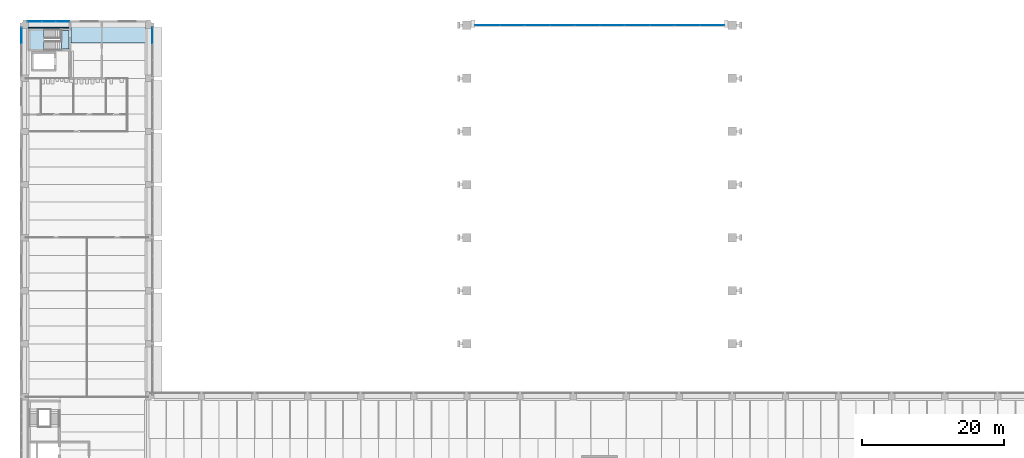
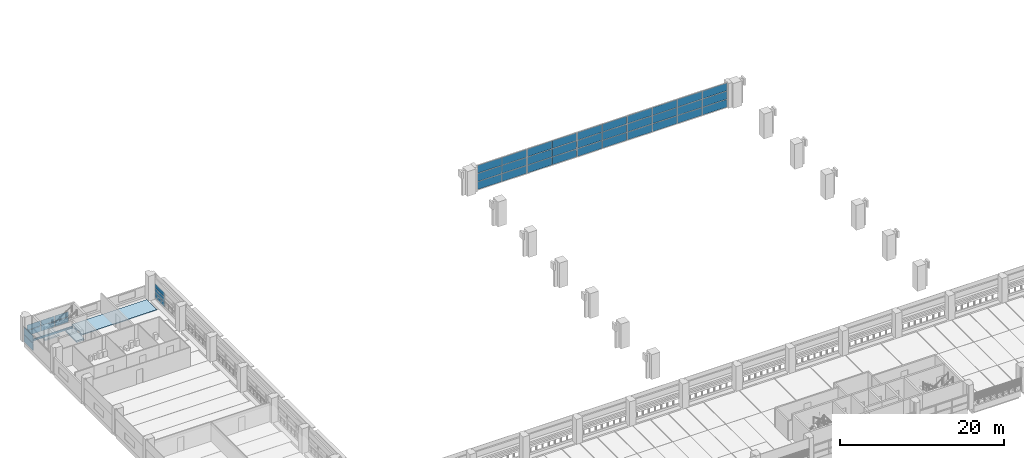
# One storey, part 25 of 57: 41 plates, 4 slabs, 9 elements without a shape of their own.
"""IFC4 building model written with IfcOpenShell, lengths in metres."""

from ifc_helpers import new_model, si_unit, direction, frame, origin, origin_2d, place, context, subcontext, project, spatial, polyline, rectangle, outline, extrude, material, layer, layer_set, material_profile, profile_set, type_object, element, aggregate, save


model = new_model("IFC4")

# Units and contexts
model_context = context("Model", 3, precision=1e-05, world=origin(), true_north=direction((0.0, 1.0)))
body_context = subcontext(model_context, "Body", "Model", "MODEL_VIEW")
ifc_project = project(units=[si_unit("LENGTHUNIT", "METRE"), si_unit("AREAUNIT", "SQUARE_METRE"), si_unit("VOLUMEUNIT", "CUBIC_METRE"), si_unit("PLANEANGLEUNIT", "RADIAN"), si_unit("MASSUNIT", "GRAM", prefix="KILO")], contexts=[model_context])

# Site, building, storey
site_placement = place(None, origin())
site = spatial("IfcSite", under=ifc_project, at=site_placement, CompositionType="ELEMENT")
building_placement = place(site_placement, origin())
building = spatial("IfcBuilding", under=site, at=building_placement, Name="Cour d'Honneur Mobility Palace", CompositionType="ELEMENT")
storey_placement = place(building_placement, frame((0.0, 0.0, 8.199951171875)))
storey = spatial("IfcBuildingStorey", under=building, at=storey_placement, Name="L02", CompositionType="ELEMENT", Elevation=8.199951171875)

# Slabs
ifc_material_1 = material(Name="Concrete C50", Category="concrete")
ifc_layer_1 = layer(ifc_material_1, 0.25)
ifc_layer_set_1 = layer_set([ifc_layer_1], Name="Concrete C50")
slab_type_1 = type_object("IfcSlabType", Name="Cast-in-place Slab 250", PredefinedType="FLOOR", material=ifc_layer_set_1)
slab_1_placement = place(storey_placement, frame((0.0, 0.0, -0.25)))
element("IfcSlab", 1, at=slab_1_placement, inside=storey, type_object=slab_type_1, Name="Cast-in-place slab S1 L02 core", PredefinedType="FLOOR", context=body_context, shape_type="SweptSolid", body=[
    extrude(outline(polyline([(0.449951171875, 114.625), (6.300048828125, 114.625), (6.300048828125, 114.449951171875), (0.449951171875, 114.449951171875), (0.449951171875, 114.625)])), origin(), (0.0, 0.0, 1.0), 0.25),
])
slab_2_placement = place(storey_placement, frame((0.0, 0.0, -0.25)))
element("IfcSlab", 2, at=slab_2_placement, inside=storey, type_object=slab_type_1, Name="Cast-in-place slab S1 L02 core", PredefinedType="FLOOR", context=body_context, shape_type="SweptSolid", body=[
    extrude(outline(polyline([(6.175048828125, 111.52490234375), (5.10009765625, 111.52490234375), (5.10009765625, 114.199951171875), (6.175048828125, 114.199951171875), (6.175048828125, 111.52490234375)])), origin(), (0.0, 0.0, 1.0), 0.25),
])

# Curtain wall, plates
ifc_material_2 = material(Name="Aluminium and glass", Category="aluminium")
ifc_layer_2 = layer(ifc_material_2, 0.10009765625)
ifc_layer_set_2 = layer_set([ifc_layer_2], Name="Aluminium and glass")
curtain_wall_type = type_object("IfcCurtainWallType", Name="Curtain wall run", PredefinedType="NOTDEFINED", material=ifc_layer_set_2)
curtain_wall_1_placement = place(storey_placement, origin())
curtain_wall_1 = element("IfcCurtainWall", 3, at=curtain_wall_1_placement, inside=storey, type_object=curtain_wall_type, Name="Curtain wall CW-29", PredefinedType="NOTDEFINED")
ifc_material_3 = material(Name="Double glazing", Category="glass")
ifc_layer_3 = layer(ifc_material_3, 0.028076171875)
ifc_layer_set_3 = layer_set([ifc_layer_3], Name="Double glazing")
plate_type = type_object("IfcPlateType", Name="Curtain wall panel", PredefinedType="CURTAIN_PANEL", material=ifc_layer_set_3)
plate_1_placement = place(storey_placement, frame((17.949951171875, 113.43505859375, 0.06005859375), z_axis=(0.0, 0.0, 1.0), x_axis=(0.0, 1.0, 0.0)))
plate_1 = element("IfcPlate", 4, at=plate_1_placement, type_object=plate_type, Name="CW-29 panel 3.1", PredefinedType="CURTAIN_PANEL", context=body_context, shape_type="SweptSolid", body=[
    extrude(rectangle(XDim=2.2099609375, YDim=0.028076171875, at=origin_2d()), origin(), (0.0, 0.0, 1.0), 0.6767578125),
])
plate_2_placement = place(storey_placement, frame((17.949951171875, 113.43505859375, 0.796875), z_axis=(0.0, 0.0, 1.0), x_axis=(0.0, 1.0, 0.0)))
plate_2 = element("IfcPlate", 5, at=plate_2_placement, type_object=plate_type, Name="CW-29 panel 3.2", PredefinedType="CURTAIN_PANEL", context=body_context, shape_type="SweptSolid", body=[
    extrude(rectangle(XDim=2.2099609375, YDim=0.028076171875, at=origin_2d()), origin(), (0.0, 0.0, 1.0), 0.706787109375),
])
plate_3_placement = place(storey_placement, frame((17.949951171875, 113.43505859375, 1.563232421875), z_axis=(0.0, 0.0, 1.0), x_axis=(0.0, 1.0, 0.0)))
plate_3 = element("IfcPlate", 6, at=plate_3_placement, type_object=plate_type, Name="CW-29 panel 3.3", PredefinedType="CURTAIN_PANEL", context=body_context, shape_type="SweptSolid", body=[
    extrude(rectangle(XDim=2.2099609375, YDim=0.028076171875, at=origin_2d()), origin(), (0.0, 0.0, 1.0), 0.6767578125),
])
aggregate(curtain_wall_1, [plate_1, plate_2, plate_3])

curtain_wall_2_placement = place(storey_placement, origin())
curtain_wall_2 = element("IfcCurtainWall", 7, at=curtain_wall_2_placement, inside=storey, type_object=curtain_wall_type, Name="Curtain wall CW-126", PredefinedType="NOTDEFINED")
plate_4_placement = place(storey_placement, frame((5.284912109375, 115.449951171875, 0.06005859375), z_axis=(0.0, 0.0, 1.0), x_axis=(-1.0, 0.0, 0.0)))
plate_4 = element("IfcPlate", 8, at=plate_4_placement, type_object=plate_type, Name="CW-126 panel 1.1", PredefinedType="CURTAIN_PANEL", context=body_context, shape_type="SweptSolid", body=[
    extrude(rectangle(XDim=1.909912109375, YDim=0.028076171875, at=origin_2d()), origin(), (0.0, 0.0, 1.0), 0.760009765625),
])
plate_5_placement = place(storey_placement, frame((5.284912109375, 115.449951171875, 0.8798828125), z_axis=(0.0, 0.0, 1.0), x_axis=(-1.0, 0.0, 0.0)))
plate_5 = element("IfcPlate", 9, at=plate_5_placement, type_object=plate_type, Name="CW-126 panel 1.2", PredefinedType="CURTAIN_PANEL", context=body_context, shape_type="SweptSolid", body=[
    extrude(rectangle(XDim=1.909912109375, YDim=0.028076171875, at=origin_2d()), origin(), (0.0, 0.0, 1.0), 0.760009765625),
])
plate_6_placement = place(storey_placement, frame((3.300048828125, 115.449951171875, 0.06005859375), z_axis=(0.0, 0.0, 1.0), x_axis=(-1.0, 0.0, 0.0)))
plate_6 = element("IfcPlate", 10, at=plate_6_placement, type_object=plate_type, Name="CW-126 panel 2.1", PredefinedType="CURTAIN_PANEL", context=body_context, shape_type="SweptSolid", body=[
    extrude(rectangle(XDim=1.93994140625, YDim=0.028076171875, at=origin_2d()), origin(), (0.0, 0.0, 1.0), 0.760009765625),
])
plate_7_placement = place(storey_placement, frame((3.300048828125, 115.449951171875, 0.8798828125), z_axis=(0.0, 0.0, 1.0), x_axis=(-1.0, 0.0, 0.0)))
plate_7 = element("IfcPlate", 11, at=plate_7_placement, type_object=plate_type, Name="CW-126 panel 2.2", PredefinedType="CURTAIN_PANEL", context=body_context, shape_type="SweptSolid", body=[
    extrude(rectangle(XDim=1.93994140625, YDim=0.028076171875, at=origin_2d()), origin(), (0.0, 0.0, 1.0), 0.760009765625),
])
plate_8_placement = place(storey_placement, frame((1.31494140625, 115.449951171875, 0.06005859375), z_axis=(0.0, 0.0, 1.0), x_axis=(-1.0, 0.0, 0.0)))
plate_8 = element("IfcPlate", 12, at=plate_8_placement, type_object=plate_type, Name="CW-126 panel 3.1", PredefinedType="CURTAIN_PANEL", context=body_context, shape_type="SweptSolid", body=[
    extrude(rectangle(XDim=1.909912109375, YDim=0.028076171875, at=origin_2d()), origin(), (0.0, 0.0, 1.0), 0.760009765625),
])
plate_9_placement = place(storey_placement, frame((1.31494140625, 115.449951171875, 0.8798828125), z_axis=(0.0, 0.0, 1.0), x_axis=(-1.0, 0.0, 0.0)))
plate_9 = element("IfcPlate", 13, at=plate_9_placement, type_object=plate_type, Name="CW-126 panel 3.2", PredefinedType="CURTAIN_PANEL", context=body_context, shape_type="SweptSolid", body=[
    extrude(rectangle(XDim=1.909912109375, YDim=0.028076171875, at=origin_2d()), origin(), (0.0, 0.0, 1.0), 0.760009765625),
])
aggregate(curtain_wall_2, [plate_4, plate_5, plate_6, plate_7, plate_8, plate_9])

curtain_wall_3_placement = place(storey_placement, origin())
curtain_wall_3 = element("IfcCurtainWall", 14, at=curtain_wall_3_placement, inside=storey, type_object=curtain_wall_type, Name="Curtain wall CW-127", PredefinedType="NOTDEFINED")
plate_10_placement = place(storey_placement, frame((-0.550048828125, 113.43505859375, 0.06005859375), z_axis=(0.0, 0.0, 1.0), x_axis=(0.0, -1.0, 0.0)))
plate_10 = element("IfcPlate", 15, at=plate_10_placement, type_object=plate_type, Name="CW-127 panel 1.1", PredefinedType="CURTAIN_PANEL", context=body_context, shape_type="SweptSolid", body=[
    extrude(rectangle(XDim=2.2099609375, YDim=0.028076171875, at=origin_2d()), origin(), (0.0, 0.0, 1.0), 1.06005859375),
])
plate_11_placement = place(storey_placement, frame((-0.550048828125, 113.43505859375, 1.179931640625), z_axis=(0.0, 0.0, 1.0), x_axis=(0.0, -1.0, 0.0)))
plate_11 = element("IfcPlate", 16, at=plate_11_placement, type_object=plate_type, Name="CW-127 panel 1.2", PredefinedType="CURTAIN_PANEL", context=body_context, shape_type="SweptSolid", body=[
    extrude(rectangle(XDim=2.2099609375, YDim=0.028076171875, at=origin_2d()), origin(), (0.0, 0.0, 1.0), 1.06005859375),
])
aggregate(curtain_wall_3, [plate_10, plate_11])

curtain_wall_4_placement = place(storey_placement, origin())
curtain_wall_4 = element("IfcCurtainWall", 17, at=curtain_wall_4_placement, inside=storey, type_object=curtain_wall_type, Name="Curtain wall CW-176", PredefinedType="NOTDEFINED")
plate_12_placement = place(storey_placement, frame((65.280029296875, 114.89990234375, 0.06005859375), z_axis=(0.0, 0.0, 1.0), x_axis=(1.0, 0.0, 0.0)))
plate_12 = element("IfcPlate", 18, at=plate_12_placement, type_object=plate_type, Name="CW-176 panel 1.1", PredefinedType="CURTAIN_PANEL", context=body_context, shape_type="SweptSolid", body=[
    extrude(rectangle(XDim=3.43994140625, YDim=0.028076171875, at=origin_2d()), origin(), (0.0, 0.0, 1.0), 1.143310546875),
])
plate_13_placement = place(storey_placement, frame((65.280029296875, 114.89990234375, 1.263427734375), z_axis=(0.0, 0.0, 1.0), x_axis=(1.0, 0.0, 0.0)))
plate_13 = element("IfcPlate", 19, at=plate_13_placement, type_object=plate_type, Name="CW-176 panel 1.2", PredefinedType="CURTAIN_PANEL", context=body_context, shape_type="SweptSolid", body=[
    extrude(rectangle(XDim=3.43994140625, YDim=0.028076171875, at=origin_2d()), origin(), (0.0, 0.0, 1.0), 1.17333984375),
])
plate_14_placement = place(storey_placement, frame((65.280029296875, 114.89990234375, 2.49658203125), z_axis=(0.0, 0.0, 1.0), x_axis=(1.0, 0.0, 0.0)))
plate_14 = element("IfcPlate", 20, at=plate_14_placement, type_object=plate_type, Name="CW-176 panel 1.3", PredefinedType="CURTAIN_PANEL", context=body_context, shape_type="SweptSolid", body=[
    extrude(rectangle(XDim=3.43994140625, YDim=0.028076171875, at=origin_2d()), origin(), (0.0, 0.0, 1.0), 1.143310546875),
])
plate_15_placement = place(storey_placement, frame((68.780029296875, 114.89990234375, 0.06005859375), z_axis=(0.0, 0.0, 1.0), x_axis=(1.0, 0.0, 0.0)))
plate_15 = element("IfcPlate", 21, at=plate_15_placement, type_object=plate_type, Name="CW-176 panel 2.1", PredefinedType="CURTAIN_PANEL", context=body_context, shape_type="SweptSolid", body=[
    extrude(rectangle(XDim=3.43994140625, YDim=0.028076171875, at=origin_2d()), origin(), (0.0, 0.0, 1.0), 1.143310546875),
])
plate_16_placement = place(storey_placement, frame((68.780029296875, 114.89990234375, 1.263427734375), z_axis=(0.0, 0.0, 1.0), x_axis=(1.0, 0.0, 0.0)))
plate_16 = element("IfcPlate", 22, at=plate_16_placement, type_object=plate_type, Name="CW-176 panel 2.2", PredefinedType="CURTAIN_PANEL", context=body_context, shape_type="SweptSolid", body=[
    extrude(rectangle(XDim=3.43994140625, YDim=0.028076171875, at=origin_2d()), origin(), (0.0, 0.0, 1.0), 1.17333984375),
])
plate_17_placement = place(storey_placement, frame((68.780029296875, 114.89990234375, 2.49658203125), z_axis=(0.0, 0.0, 1.0), x_axis=(1.0, 0.0, 0.0)))
plate_17 = element("IfcPlate", 23, at=plate_17_placement, type_object=plate_type, Name="CW-176 panel 2.3", PredefinedType="CURTAIN_PANEL", context=body_context, shape_type="SweptSolid", body=[
    extrude(rectangle(XDim=3.43994140625, YDim=0.028076171875, at=origin_2d()), origin(), (0.0, 0.0, 1.0), 1.143310546875),
])
aggregate(curtain_wall_4, [plate_12, plate_13, plate_14, plate_15, plate_16, plate_17])

curtain_wall_5_placement = place(storey_placement, origin())
curtain_wall_5 = element("IfcCurtainWall", 24, at=curtain_wall_5_placement, inside=storey, type_object=curtain_wall_type, Name="Curtain wall CW-177", PredefinedType="NOTDEFINED")
plate_18_placement = place(storey_placement, frame((72.340087890625, 114.89990234375, 0.06005859375), z_axis=(0.0, 0.0, 1.0), x_axis=(1.0, 0.0, 0.0)))
plate_18 = element("IfcPlate", 25, at=plate_18_placement, type_object=plate_type, Name="CW-177 panel 1.1", PredefinedType="CURTAIN_PANEL", context=body_context, shape_type="SweptSolid", body=[
    extrude(rectangle(XDim=3.43994140625, YDim=0.028076171875, at=origin_2d()), origin(), (0.0, 0.0, 1.0), 1.143310546875),
])
plate_19_placement = place(storey_placement, frame((72.340087890625, 114.89990234375, 1.263427734375), z_axis=(0.0, 0.0, 1.0), x_axis=(1.0, 0.0, 0.0)))
plate_19 = element("IfcPlate", 26, at=plate_19_placement, type_object=plate_type, Name="CW-177 panel 1.2", PredefinedType="CURTAIN_PANEL", context=body_context, shape_type="SweptSolid", body=[
    extrude(rectangle(XDim=3.43994140625, YDim=0.028076171875, at=origin_2d()), origin(), (0.0, 0.0, 1.0), 1.17333984375),
])
plate_20_placement = place(storey_placement, frame((72.340087890625, 114.89990234375, 2.49658203125), z_axis=(0.0, 0.0, 1.0), x_axis=(1.0, 0.0, 0.0)))
plate_20 = element("IfcPlate", 27, at=plate_20_placement, type_object=plate_type, Name="CW-177 panel 1.3", PredefinedType="CURTAIN_PANEL", context=body_context, shape_type="SweptSolid", body=[
    extrude(rectangle(XDim=3.43994140625, YDim=0.028076171875, at=origin_2d()), origin(), (0.0, 0.0, 1.0), 1.143310546875),
])
plate_21_placement = place(storey_placement, frame((75.840087890625, 114.89990234375, 0.06005859375), z_axis=(0.0, 0.0, 1.0), x_axis=(1.0, 0.0, 0.0)))
plate_21 = element("IfcPlate", 28, at=plate_21_placement, type_object=plate_type, Name="CW-177 panel 2.1", PredefinedType="CURTAIN_PANEL", context=body_context, shape_type="SweptSolid", body=[
    extrude(rectangle(XDim=3.43994140625, YDim=0.028076171875, at=origin_2d()), origin(), (0.0, 0.0, 1.0), 1.143310546875),
])
plate_22_placement = place(storey_placement, frame((75.840087890625, 114.89990234375, 1.263427734375), z_axis=(0.0, 0.0, 1.0), x_axis=(1.0, 0.0, 0.0)))
plate_22 = element("IfcPlate", 29, at=plate_22_placement, type_object=plate_type, Name="CW-177 panel 2.2", PredefinedType="CURTAIN_PANEL", context=body_context, shape_type="SweptSolid", body=[
    extrude(rectangle(XDim=3.43994140625, YDim=0.028076171875, at=origin_2d()), origin(), (0.0, 0.0, 1.0), 1.17333984375),
])
plate_23_placement = place(storey_placement, frame((75.840087890625, 114.89990234375, 2.49658203125), z_axis=(0.0, 0.0, 1.0), x_axis=(1.0, 0.0, 0.0)))
plate_23 = element("IfcPlate", 30, at=plate_23_placement, type_object=plate_type, Name="CW-177 panel 2.3", PredefinedType="CURTAIN_PANEL", context=body_context, shape_type="SweptSolid", body=[
    extrude(rectangle(XDim=3.43994140625, YDim=0.028076171875, at=origin_2d()), origin(), (0.0, 0.0, 1.0), 1.143310546875),
])
aggregate(curtain_wall_5, [plate_18, plate_19, plate_20, plate_21, plate_22, plate_23])

curtain_wall_6_placement = place(storey_placement, origin())
curtain_wall_6 = element("IfcCurtainWall", 31, at=curtain_wall_6_placement, inside=storey, type_object=curtain_wall_type, Name="Curtain wall CW-178", PredefinedType="NOTDEFINED")
plate_24_placement = place(storey_placement, frame((79.39990234375, 114.89990234375, 0.06005859375), z_axis=(0.0, 0.0, 1.0), x_axis=(1.0, 0.0, 0.0)))
plate_24 = element("IfcPlate", 32, at=plate_24_placement, type_object=plate_type, Name="CW-178 panel 1.1", PredefinedType="CURTAIN_PANEL", context=body_context, shape_type="SweptSolid", body=[
    extrude(rectangle(XDim=3.43994140625, YDim=0.028076171875, at=origin_2d()), origin(), (0.0, 0.0, 1.0), 1.143310546875),
])
plate_25_placement = place(storey_placement, frame((79.39990234375, 114.89990234375, 1.263427734375), z_axis=(0.0, 0.0, 1.0), x_axis=(1.0, 0.0, 0.0)))
plate_25 = element("IfcPlate", 33, at=plate_25_placement, type_object=plate_type, Name="CW-178 panel 1.2", PredefinedType="CURTAIN_PANEL", context=body_context, shape_type="SweptSolid", body=[
    extrude(rectangle(XDim=3.43994140625, YDim=0.028076171875, at=origin_2d()), origin(), (0.0, 0.0, 1.0), 1.17333984375),
])
plate_26_placement = place(storey_placement, frame((79.39990234375, 114.89990234375, 2.49658203125), z_axis=(0.0, 0.0, 1.0), x_axis=(1.0, 0.0, 0.0)))
plate_26 = element("IfcPlate", 34, at=plate_26_placement, type_object=plate_type, Name="CW-178 panel 1.3", PredefinedType="CURTAIN_PANEL", context=body_context, shape_type="SweptSolid", body=[
    extrude(rectangle(XDim=3.43994140625, YDim=0.028076171875, at=origin_2d()), origin(), (0.0, 0.0, 1.0), 1.143310546875),
])
plate_27_placement = place(storey_placement, frame((82.89990234375, 114.89990234375, 0.06005859375), z_axis=(0.0, 0.0, 1.0), x_axis=(1.0, 0.0, 0.0)))
plate_27 = element("IfcPlate", 35, at=plate_27_placement, type_object=plate_type, Name="CW-178 panel 2.1", PredefinedType="CURTAIN_PANEL", context=body_context, shape_type="SweptSolid", body=[
    extrude(rectangle(XDim=3.43994140625, YDim=0.028076171875, at=origin_2d()), origin(), (0.0, 0.0, 1.0), 1.143310546875),
])
plate_28_placement = place(storey_placement, frame((82.89990234375, 114.89990234375, 1.263427734375), z_axis=(0.0, 0.0, 1.0), x_axis=(1.0, 0.0, 0.0)))
plate_28 = element("IfcPlate", 36, at=plate_28_placement, type_object=plate_type, Name="CW-178 panel 2.2", PredefinedType="CURTAIN_PANEL", context=body_context, shape_type="SweptSolid", body=[
    extrude(rectangle(XDim=3.43994140625, YDim=0.028076171875, at=origin_2d()), origin(), (0.0, 0.0, 1.0), 1.17333984375),
])
plate_29_placement = place(storey_placement, frame((82.89990234375, 114.89990234375, 2.49658203125), z_axis=(0.0, 0.0, 1.0), x_axis=(1.0, 0.0, 0.0)))
plate_29 = element("IfcPlate", 37, at=plate_29_placement, type_object=plate_type, Name="CW-178 panel 2.3", PredefinedType="CURTAIN_PANEL", context=body_context, shape_type="SweptSolid", body=[
    extrude(rectangle(XDim=3.43994140625, YDim=0.028076171875, at=origin_2d()), origin(), (0.0, 0.0, 1.0), 1.143310546875),
])
aggregate(curtain_wall_6, [plate_24, plate_25, plate_26, plate_27, plate_28, plate_29])

curtain_wall_7_placement = place(storey_placement, origin())
curtain_wall_7 = element("IfcCurtainWall", 38, at=curtain_wall_7_placement, inside=storey, type_object=curtain_wall_type, Name="Curtain wall CW-179", PredefinedType="NOTDEFINED")
plate_30_placement = place(storey_placement, frame((86.4599609375, 114.89990234375, 0.06005859375), z_axis=(0.0, 0.0, 1.0), x_axis=(1.0, 0.0, 0.0)))
plate_30 = element("IfcPlate", 39, at=plate_30_placement, type_object=plate_type, Name="CW-179 panel 1.1", PredefinedType="CURTAIN_PANEL", context=body_context, shape_type="SweptSolid", body=[
    extrude(rectangle(XDim=3.43994140625, YDim=0.028076171875, at=origin_2d()), origin(), (0.0, 0.0, 1.0), 1.143310546875),
])
plate_31_placement = place(storey_placement, frame((86.4599609375, 114.89990234375, 1.263427734375), z_axis=(0.0, 0.0, 1.0), x_axis=(1.0, 0.0, 0.0)))
plate_31 = element("IfcPlate", 40, at=plate_31_placement, type_object=plate_type, Name="CW-179 panel 1.2", PredefinedType="CURTAIN_PANEL", context=body_context, shape_type="SweptSolid", body=[
    extrude(rectangle(XDim=3.43994140625, YDim=0.028076171875, at=origin_2d()), origin(), (0.0, 0.0, 1.0), 1.17333984375),
])
plate_32_placement = place(storey_placement, frame((86.4599609375, 114.89990234375, 2.49658203125), z_axis=(0.0, 0.0, 1.0), x_axis=(1.0, 0.0, 0.0)))
plate_32 = element("IfcPlate", 41, at=plate_32_placement, type_object=plate_type, Name="CW-179 panel 1.3", PredefinedType="CURTAIN_PANEL", context=body_context, shape_type="SweptSolid", body=[
    extrude(rectangle(XDim=3.43994140625, YDim=0.028076171875, at=origin_2d()), origin(), (0.0, 0.0, 1.0), 1.143310546875),
])
plate_33_placement = place(storey_placement, frame((89.9599609375, 114.89990234375, 0.06005859375), z_axis=(0.0, 0.0, 1.0), x_axis=(1.0, 0.0, 0.0)))
plate_33 = element("IfcPlate", 42, at=plate_33_placement, type_object=plate_type, Name="CW-179 panel 2.1", PredefinedType="CURTAIN_PANEL", context=body_context, shape_type="SweptSolid", body=[
    extrude(rectangle(XDim=3.43994140625, YDim=0.028076171875, at=origin_2d()), origin(), (0.0, 0.0, 1.0), 1.143310546875),
])
plate_34_placement = place(storey_placement, frame((89.9599609375, 114.89990234375, 1.263427734375), z_axis=(0.0, 0.0, 1.0), x_axis=(1.0, 0.0, 0.0)))
plate_34 = element("IfcPlate", 43, at=plate_34_placement, type_object=plate_type, Name="CW-179 panel 2.2", PredefinedType="CURTAIN_PANEL", context=body_context, shape_type="SweptSolid", body=[
    extrude(rectangle(XDim=3.43994140625, YDim=0.028076171875, at=origin_2d()), origin(), (0.0, 0.0, 1.0), 1.17333984375),
])
plate_35_placement = place(storey_placement, frame((89.9599609375, 114.89990234375, 2.49658203125), z_axis=(0.0, 0.0, 1.0), x_axis=(1.0, 0.0, 0.0)))
plate_35 = element("IfcPlate", 44, at=plate_35_placement, type_object=plate_type, Name="CW-179 panel 2.3", PredefinedType="CURTAIN_PANEL", context=body_context, shape_type="SweptSolid", body=[
    extrude(rectangle(XDim=3.43994140625, YDim=0.028076171875, at=origin_2d()), origin(), (0.0, 0.0, 1.0), 1.143310546875),
])
aggregate(curtain_wall_7, [plate_30, plate_31, plate_32, plate_33, plate_34, plate_35])

curtain_wall_8_placement = place(storey_placement, origin())
curtain_wall_8 = element("IfcCurtainWall", 45, at=curtain_wall_8_placement, inside=storey, type_object=curtain_wall_type, Name="Curtain wall CW-180", PredefinedType="NOTDEFINED")
plate_36_placement = place(storey_placement, frame((93.52001953125, 114.89990234375, 0.06005859375), z_axis=(0.0, 0.0, 1.0), x_axis=(1.0, 0.0, 0.0)))
plate_36 = element("IfcPlate", 46, at=plate_36_placement, type_object=plate_type, Name="CW-180 panel 1.1", PredefinedType="CURTAIN_PANEL", context=body_context, shape_type="SweptSolid", body=[
    extrude(rectangle(XDim=3.43994140625, YDim=0.028076171875, at=origin_2d()), origin(), (0.0, 0.0, 1.0), 1.143310546875),
])
plate_37_placement = place(storey_placement, frame((93.52001953125, 114.89990234375, 1.263427734375), z_axis=(0.0, 0.0, 1.0), x_axis=(1.0, 0.0, 0.0)))
plate_37 = element("IfcPlate", 47, at=plate_37_placement, type_object=plate_type, Name="CW-180 panel 1.2", PredefinedType="CURTAIN_PANEL", context=body_context, shape_type="SweptSolid", body=[
    extrude(rectangle(XDim=3.43994140625, YDim=0.028076171875, at=origin_2d()), origin(), (0.0, 0.0, 1.0), 1.17333984375),
])
plate_38_placement = place(storey_placement, frame((93.52001953125, 114.89990234375, 2.49658203125), z_axis=(0.0, 0.0, 1.0), x_axis=(1.0, 0.0, 0.0)))
plate_38 = element("IfcPlate", 48, at=plate_38_placement, type_object=plate_type, Name="CW-180 panel 1.3", PredefinedType="CURTAIN_PANEL", context=body_context, shape_type="SweptSolid", body=[
    extrude(rectangle(XDim=3.43994140625, YDim=0.028076171875, at=origin_2d()), origin(), (0.0, 0.0, 1.0), 1.143310546875),
])
plate_39_placement = place(storey_placement, frame((97.02001953125, 114.89990234375, 0.06005859375), z_axis=(0.0, 0.0, 1.0), x_axis=(1.0, 0.0, 0.0)))
plate_39 = element("IfcPlate", 49, at=plate_39_placement, type_object=plate_type, Name="CW-180 panel 2.1", PredefinedType="CURTAIN_PANEL", context=body_context, shape_type="SweptSolid", body=[
    extrude(rectangle(XDim=3.43994140625, YDim=0.028076171875, at=origin_2d()), origin(), (0.0, 0.0, 1.0), 1.143310546875),
])
plate_40_placement = place(storey_placement, frame((97.02001953125, 114.89990234375, 1.263427734375), z_axis=(0.0, 0.0, 1.0), x_axis=(1.0, 0.0, 0.0)))
plate_40 = element("IfcPlate", 50, at=plate_40_placement, type_object=plate_type, Name="CW-180 panel 2.2", PredefinedType="CURTAIN_PANEL", context=body_context, shape_type="SweptSolid", body=[
    extrude(rectangle(XDim=3.43994140625, YDim=0.028076171875, at=origin_2d()), origin(), (0.0, 0.0, 1.0), 1.17333984375),
])
plate_41_placement = place(storey_placement, frame((97.02001953125, 114.89990234375, 2.49658203125), z_axis=(0.0, 0.0, 1.0), x_axis=(1.0, 0.0, 0.0)))
plate_41 = element("IfcPlate", 51, at=plate_41_placement, type_object=plate_type, Name="CW-180 panel 2.3", PredefinedType="CURTAIN_PANEL", context=body_context, shape_type="SweptSolid", body=[
    extrude(rectangle(XDim=3.43994140625, YDim=0.028076171875, at=origin_2d()), origin(), (0.0, 0.0, 1.0), 1.143310546875),
])
aggregate(curtain_wall_8, [plate_36, plate_37, plate_38, plate_39, plate_40, plate_41])

# Slab
ifc_material_4 = material(Name="Concrete C45", Category="concrete")
ifc_material_profile = material_profile(ifc_material_4, outline(polyline([(-1.2451171875, 0.0), (1.2451171875, 0.0), (1.2451171875, -0.10009765625), (0.679931640625, -0.10009765625), (0.64990234375, -0.60009765625), (0.550048828125, -0.60009765625), (0.52001953125, -0.10009765625), (-0.52001953125, -0.10009765625), (-0.550048828125, -0.60009765625), (-0.64990234375, -0.60009765625), (-0.679931640625, -0.10009765625), (-1.2451171875, -0.10009765625), (-1.2451171875, 0.0)])), Name="DT 2490x600")
ifc_profile_set = profile_set([ifc_material_profile], Name="Concrete C45")
slab_type_2 = type_object("IfcSlabType", Name="DT 2490x600", PredefinedType="FLOOR", material=ifc_profile_set)
slab_3_placement = place(storey_placement, frame((6.425048828125, 113.64990234375, 0.0), z_axis=(1.0, 0.0, 0.0), x_axis=(0.0, 1.0, 0.0)))
element("IfcSlab", 52, at=slab_3_placement, inside=storey, type_object=slab_type_2, Name="Double tee DT-NW21 L02", PredefinedType="FLOOR", context=body_context, shape_type="SweptSolid", body=[
    extrude(outline(polyline([(-1.2451171875, 0.0), (1.2451171875, 0.0), (1.2451171875, -0.10009765625), (0.679931640625, -0.10009765625), (0.64990234375, -0.60009765625), (0.550048828125, -0.60009765625), (0.52001953125, -0.10009765625), (-0.52001953125, -0.10009765625), (-0.550048828125, -0.60009765625), (-0.64990234375, -0.60009765625), (-0.679931640625, -0.10009765625), (-1.2451171875, -0.10009765625), (-1.2451171875, 0.0)])), origin(), (0.0, 0.0, 1.0), 10.52490234375),
])

# Stair, slab
ifc_material_5 = material(Name="Concrete C50", Category="concrete")
stair_type = type_object("IfcStairType", Name="Stair 20 risers", PredefinedType="HALF_TURN_STAIR", material=ifc_material_5)
stair_placement = place(storey_placement, origin())
stair = element("IfcStair", 53, at=stair_placement, inside=storey, type_object=stair_type, Name="Stair ST-NW1", PredefinedType="HALF_TURN_STAIR")
ifc_material_6 = material(Name="Concrete C50", Category="concrete")
ifc_layer_4 = layer(ifc_material_6, 0.199951171875)
ifc_layer_set_4 = layer_set([ifc_layer_4], Name="Concrete C50")
slab_type_3 = type_object("IfcSlabType", Name="Stair landing", PredefinedType="LANDING", material=ifc_layer_set_4)
slab_4_placement = place(storey_placement, frame((0.0, 0.0, 1.650146484375)))
slab_4 = element("IfcSlab", 54, at=slab_4_placement, type_object=slab_type_3, Name="ST-NW1 landing 1", PredefinedType="LANDING", context=body_context, shape_type="SweptSolid", body=[
    extrude(outline(polyline([(0.574951171875, 111.39990234375), (2.669921875, 111.39990234375), (2.669921875, 114.324951171875), (0.574951171875, 114.324951171875), (0.574951171875, 111.39990234375)])), origin(), (0.0, 0.0, 1.0), 0.199951171875),
])
aggregate(stair, [slab_4])

save(model, "model.ifc")
